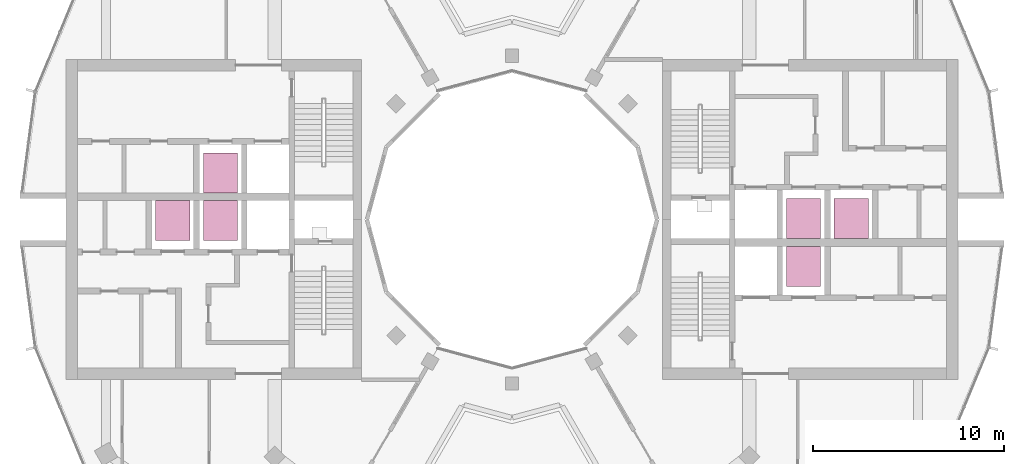
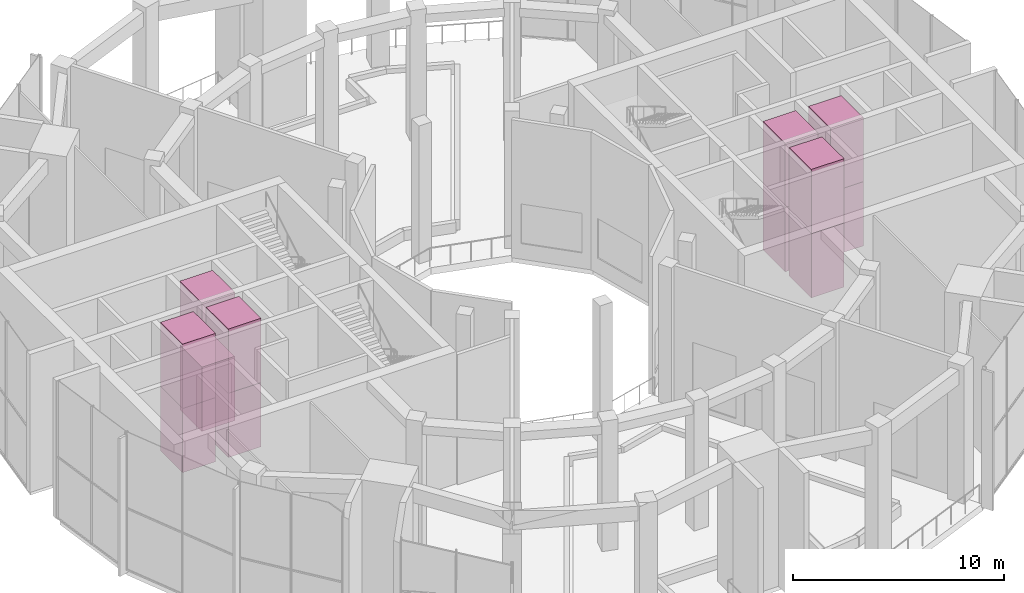
# One storey, part 18 of 18: 12 transport elements.
"""IFC4 building model written with IfcOpenShell, lengths in metres."""

from ifc_helpers import new_model, si_unit, direction, frame, origin, origin_2d, place, context, subcontext, project, spatial, rectangle, extrude, material, type_object, element, save


model = new_model("IFC4")

# Units and contexts
model_context = context("Model", 3, precision=1e-05, world=origin(), true_north=direction((0.0, 1.0)))
body_context = subcontext(model_context, "Body", "Model", "MODEL_VIEW")
ifc_project = project(units=[si_unit("LENGTHUNIT", "METRE"), si_unit("AREAUNIT", "SQUARE_METRE"), si_unit("VOLUMEUNIT", "CUBIC_METRE"), si_unit("PLANEANGLEUNIT", "RADIAN"), si_unit("MASSUNIT", "GRAM", prefix="KILO")], contexts=[model_context])

# Site, building, storey
site_placement = place(None, origin())
site = spatial("IfcSite", under=ifc_project, at=site_placement, CompositionType="ELEMENT")
building_placement = place(site_placement, origin())
building = spatial("IfcBuilding", under=site, at=building_placement, Name="Torre Brocal", CompositionType="ELEMENT")
storey_placement = place(building_placement, frame((0.0, 0.0, 229.300048828125)))
storey = spatial("IfcBuildingStorey", under=building, at=storey_placement, Name="L53", CompositionType="ELEMENT", Elevation=229.300048828125)

# Transport elements
ifc_material = material(Name="Stainless steel AISI 316", Category="steel")
transport_element_type = type_object("IfcTransportElementType", Name="PASSENGER LIFT", PredefinedType="ELEVATOR", material=ifc_material)
for number, where, z_axis, x_axis, name in (
    (1, (95.300048828125, 75.050048828125, 0.0), (0.0, 0.0, 1.0), (1.0, 0.0, 0.0), "HIGH RISE LIFT E-HR1"),
    (2, (95.300048828125, 75.050048828125, 3.724853515625), (0.0, 0.0, 1.0), (1.0, 0.0, 0.0), "HIGH RISE LIFT E-HR1"),
    (3, (95.300048828125, 72.550048828125, 0.0), (0.0, 0.0, 1.0), (1.0, 0.0, 0.0), "HIGH RISE LIFT E-HR2"),
    (4, (95.300048828125, 72.550048828125, 3.724853515625), (0.0, 0.0, 1.0), (1.0, 0.0, 0.0), "HIGH RISE LIFT E-HR2"),
    (5, (97.800048828125, 75.050048828125, 0.0), (0.0, 0.0, 1.0), (1.0, 0.0, 0.0), "HIGH RISE LIFT E-HR3"),
    (6, (97.800048828125, 75.050048828125, 3.724853515625), (0.0, 0.0, 1.0), (1.0, 0.0, 0.0), "HIGH RISE LIFT E-HR3"),
    (7, (64.699951171875, 74.949951171875, 0.0), (0.0, 0.0, 1.0), (1.0, 0.0, 0.0), "HIGH RISE LIFT W-HR1"),
    (8, (64.699951171875, 74.949951171875, 3.724853515625), (0.0, 0.0, 1.0), (1.0, 0.0, 0.0), "HIGH RISE LIFT W-HR1"),
    (9, (64.699951171875, 77.449951171875, 0.0), (0.0, 0.0, 1.0), (1.0, 0.0, 0.0), "HIGH RISE LIFT W-HR2"),
    (10, (64.699951171875, 77.449951171875, 3.724853515625), (0.0, 0.0, 1.0), (1.0, 0.0, 0.0), "HIGH RISE LIFT W-HR2"),
    (11, (62.199951171875, 74.949951171875, 0.0), (0.0, 0.0, 1.0), (1.0, 0.0, 0.0), "HIGH RISE LIFT W-HR3"),
    (12, (62.199951171875, 74.949951171875, 3.724853515625), (0.0, 0.0, 1.0), (1.0, 0.0, 0.0), "HIGH RISE LIFT W-HR3"),
):
    element("IfcTransportElement", number, at=place(storey_placement, frame(where, z_axis=z_axis, x_axis=x_axis)), inside=storey, type_object=transport_element_type, Name=name, PredefinedType="ELEVATOR", context=body_context, shape_type="SweptSolid", body=[
        extrude(rectangle(XDim=1.800048828125, YDim=2.10009765625, at=origin_2d()), origin(), (0.0, 0.0, 1.0), 3.72509765625),
    ])

save(model, "model.ifc")
